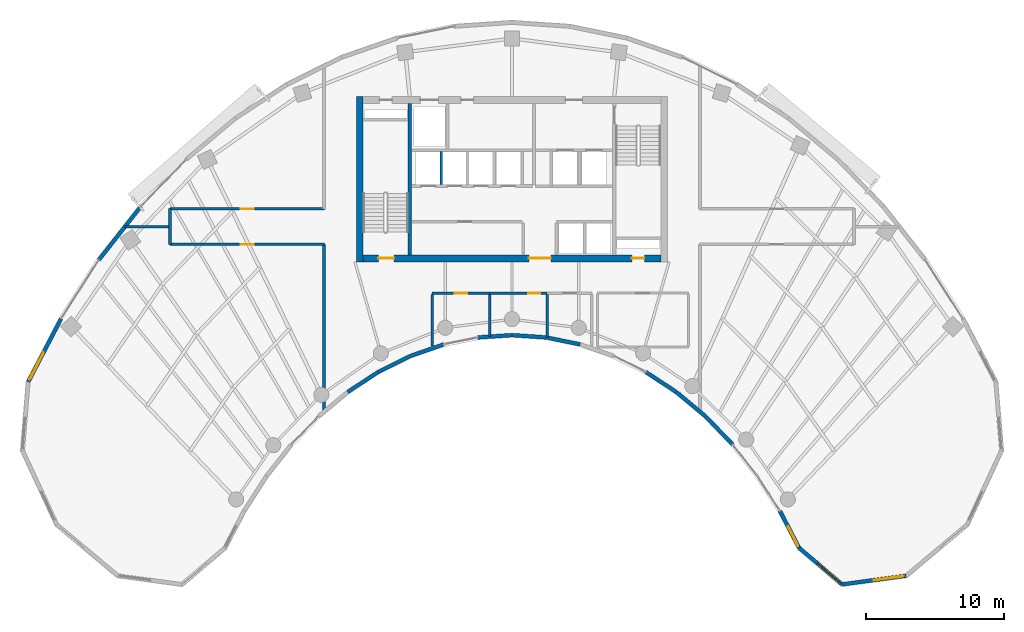
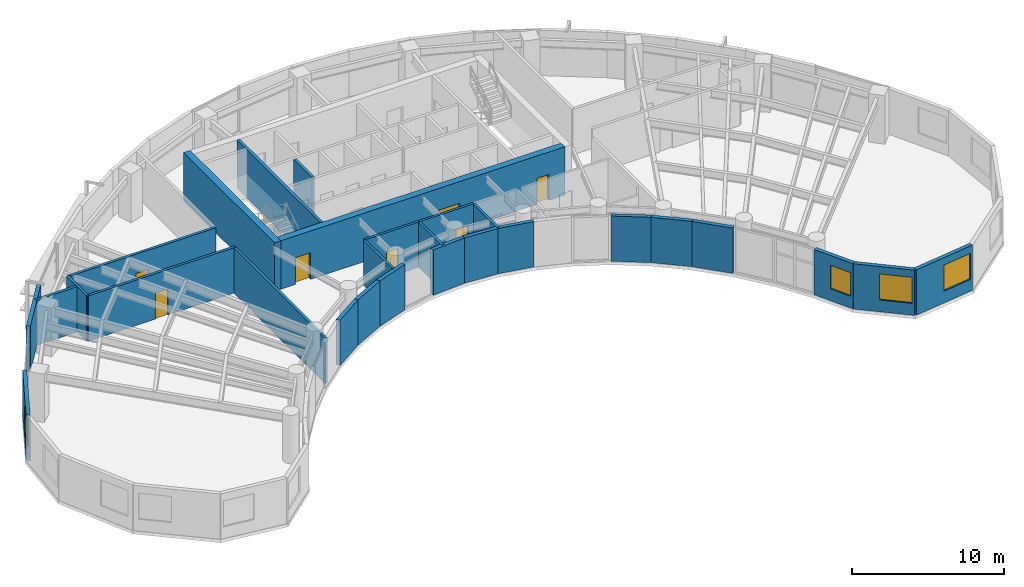
# One storey, part 8 of 13: 28 walls, 7 doors, 4 windows, 11 openings.
"""IFC4 building model written with IfcOpenShell, lengths in metres."""

import ifcopenshell
import ifcopenshell.guid

model = None  # the IFC model being written
_history = None  # IfcOwnerHistory: only IFC2X3 demands one
_inside = {}  # id of a spatial element -> (the spatial element, [elements in it])
_under = {}  # id of a project, library or spatial element -> (it, [spatial elements below it])
_declared = {}  # id of a project -> (the project, [libraries it declares])
_typed = {}  # id of a type object -> (the type object, [elements of that type])
_made_of = {}  # id of a material, layer set ... -> (it, [elements and type objects made of it])


def new_model(schema):
    """Start an empty IFC model of exactly this schema.

    Asked for "IFC4X3", IfcOpenShell would pick the latest addendum, in which some entities
    have other attributes; the version numbers below select the first issue.
    IFC2X3 requires an IfcOwnerHistory on every rooted entity: one is made here for all.
    """
    global model, _history
    if schema == "IFC4X3":
        model = ifcopenshell.file(schema_version=(4, 3, 0, 0))
    else:
        model = ifcopenshell.file(schema=schema)
    _inside.clear()
    _under.clear()
    _declared.clear()
    _typed.clear()
    _made_of.clear()
    _history = None
    if model.schema == "IFC2X3":
        org = make("IfcOrganization", Name="unknown")
        user = make(
            "IfcPersonAndOrganization",
            ThePerson=make("IfcPerson", FamilyName="unknown"),
            TheOrganization=org,
        )
        app = make(
            "IfcApplication",
            ApplicationDeveloper=org,
            Version="unknown",
            ApplicationFullName="unknown",
            ApplicationIdentifier="unknown",
        )
        _history = make(
            "IfcOwnerHistory",
            OwningUser=user,
            OwningApplication=app,
            ChangeAction="ADDED",
            CreationDate=0,
        )
    return model


def make(cls, **values):
    """One entity of the class cls with the attributes given. An attribute that is None is left unset."""
    return model.create_entity(
        cls, **{name: value for name, value in values.items() if value is not None}
    )


def rooted(cls, **values):
    """An entity with a GlobalId (a new one), such as an element, a storey or a relation."""
    return make(cls, GlobalId=ifcopenshell.guid.new(), OwnerHistory=_history, **values)


def si_unit(unit_type, name, prefix=None):
    """IfcSIUnit, for example si_unit("LENGTHUNIT", "METRE", prefix="MILLI")."""
    return make("IfcSIUnit", UnitType=unit_type, Prefix=prefix, Name=name)


def assignment(units):
    """IfcUnitAssignment: the units of a project."""
    return None if units is None else make("IfcUnitAssignment", Units=units)


def point(xyz):
    """IfcCartesianPoint."""
    return None if xyz is None else make("IfcCartesianPoint", Coordinates=xyz)


def direction(xyz):
    """IfcDirection."""
    return None if xyz is None else make("IfcDirection", DirectionRatios=xyz)


def frame(location, z_axis=None, x_axis=None):
    """IfcAxis2Placement3D, a coordinate frame: its origin and axes. An axis left out is left unset."""
    return make(
        "IfcAxis2Placement3D",
        Location=point(location),
        Axis=direction(z_axis),
        RefDirection=direction(x_axis),
    )


def frame_2d(location, x_axis=None):
    """IfcAxis2Placement2D, a coordinate frame in the plane: its origin and x axis."""
    return make(
        "IfcAxis2Placement2D", Location=point(location), RefDirection=direction(x_axis)
    )


def origin():
    """The frame at (0, 0, 0) with its axes left unset."""
    return frame((0.0, 0.0, 0.0))


def place(relative_to, where):
    """IfcLocalPlacement: puts the frame where relative to a parent placement (None: the world)."""
    return make(
        "IfcLocalPlacement", PlacementRelTo=relative_to, RelativePlacement=where
    )


def context(
    kind, dimensions, precision=None, world=None, true_north=None, identifier=None
):
    """IfcGeometricRepresentationContext, for example the 3D "Model" context."""
    return make(
        "IfcGeometricRepresentationContext",
        ContextIdentifier=identifier,
        ContextType=kind,
        CoordinateSpaceDimension=dimensions,
        Precision=precision,
        WorldCoordinateSystem=world,
        TrueNorth=true_north,
    )


def subcontext(parent, identifier, kind, view, scale=None):
    """IfcGeometricRepresentationSubContext, for example "Body" below "Model"."""
    return make(
        "IfcGeometricRepresentationSubContext",
        ContextIdentifier=identifier,
        ContextType=kind,
        ParentContext=parent,
        TargetScale=scale,
        TargetView=view,
    )


def project(units=None, contexts=None):
    """IfcProject with its units and contexts."""
    return rooted(
        "IfcProject",
        Name="project",
        RepresentationContexts=contexts,
        UnitsInContext=assignment(units),
    )


def spatial(cls, under=None, at=None, **own):
    """A site, building, storey or space (cls), placed at a placement, below another one or the project."""
    s = rooted(cls, ObjectPlacement=at, **own)
    if under is not None:
        _under.setdefault(under.id(), (under, []))[1].append(s)
    return s


def profile(cls, at=None, kind="AREA", **sizes):
    """A parametric profile (cls). Its sizes go by their IFC names, for example OverallWidth=200.0."""
    return make(cls, ProfileType=kind, Position=at, **sizes)


def rectangle(**sizes):
    """IfcRectangleProfileDef."""
    return profile("IfcRectangleProfileDef", **sizes)


def extrude(swept, where, along, depth):
    """IfcExtrudedAreaSolid: the profile swept, set in the frame where, extruded along a direction by depth."""
    return make(
        "IfcExtrudedAreaSolid",
        SweptArea=swept,
        Position=where,
        ExtrudedDirection=direction(along),
        Depth=depth,
    )


def shape(context_of_items, identifier, shape_type, items):
    """IfcShapeRepresentation: the items that make up one representation, for example the "Body"."""
    return make(
        "IfcShapeRepresentation",
        ContextOfItems=context_of_items,
        RepresentationIdentifier=identifier,
        RepresentationType=shape_type,
        Items=items,
    )


def source(mapping_origin, context_of_items, identifier, shape_type, items):
    """IfcRepresentationMap: a shape defined once, which mapped items show again and again."""
    return make(
        "IfcRepresentationMap",
        MappingOrigin=mapping_origin,
        MappedRepresentation=shape(context_of_items, identifier, shape_type, items),
    )


def transform(
    local_origin,
    x_axis=None,
    y_axis=None,
    z_axis=None,
    scale=None,
    scale2=None,
    scale3=None,
    uniform=True,
):
    """IfcCartesianTransformationOperator3D, or its non-uniform kind. x_axis, y_axis, z_axis: its Axis1, 2, 3."""
    if uniform:
        return make(
            "IfcCartesianTransformationOperator3D",
            Axis1=direction(x_axis),
            Axis2=direction(y_axis),
            LocalOrigin=point(local_origin),
            Scale=scale,
            Axis3=direction(z_axis),
        )
    return make(
        "IfcCartesianTransformationOperator3DnonUniform",
        Axis1=direction(x_axis),
        Axis2=direction(y_axis),
        LocalOrigin=point(local_origin),
        Scale=scale,
        Axis3=direction(z_axis),
        Scale2=scale2,
        Scale3=scale3,
    )


def mapped(mapping_source, mapping_target):
    """IfcMappedItem: shows the shape of a source again, moved by a transform."""
    return make(
        "IfcMappedItem", MappingSource=mapping_source, MappingTarget=mapping_target
    )


def material(Name=None, Category=None):
    """IfcMaterial."""
    return make("IfcMaterial", Name=Name, Category=Category)


def layer(
    of_material, thickness, ventilated=None, Name=None, Category=None, Priority=None
):
    """IfcMaterialLayer: one layer of a wall or slab, of a material (None: an air gap)."""
    return make(
        "IfcMaterialLayer",
        Material=of_material,
        LayerThickness=thickness,
        IsVentilated=ventilated,
        Name=Name,
        Category=Category,
        Priority=Priority,
    )


def layer_set(layers, Name=None):
    """IfcMaterialLayerSet."""
    return make("IfcMaterialLayerSet", MaterialLayers=layers, LayerSetName=Name)


def made_of(thing, what):
    """Note that an element or type object is made of a material, layer set ...; save() writes the relation."""
    if what is not None:
        _made_of.setdefault(what.id(), (what, []))[1].append(thing)
    return thing


def type_object(cls, material=None, **own):
    """A type object (cls), such as IfcWallType, which elements share."""
    return made_of(rooted(cls, **own), material)


def type_shapes(of_type, sources):
    """Give a type object the sources (RepresentationMaps) that its elements show as mapped items."""
    of_type.RepresentationMaps = sources


def element(
    cls,
    number,
    at=None,
    inside=None,
    cuts=None,
    type_object=None,
    material=None,
    context=None,
    identifier="Body",
    shape_type=None,
    held_by="IfcProductDefinitionShape",
    body=None,
    shapes=None,
    **own,
):
    """One element of the class cls, such as IfcWall. Its Tag is "e" and its number.

    at: its placement. inside: the storey or other place that contains it. cuts: it is an
    opening in that element (IfcRelVoidsElement). A single representation is given by context,
    identifier, shape_type and body (its items); several are given by shapes. held_by: the class
    of the entity that holds the representations. save() writes the other relations.
    """
    e = rooted(cls, Tag="e%d" % number, ObjectPlacement=at, **own)
    if body is not None:
        shapes = [shape(context, identifier, shape_type, body)]
    if shapes is not None:
        e.Representation = make(held_by, Representations=shapes)
    if inside is not None:
        _inside.setdefault(inside.id(), (inside, []))[1].append(e)
    if cuts is not None:
        rooted(
            "IfcRelVoidsElement", RelatingBuildingElement=cuts, RelatedOpeningElement=e
        )
    if type_object is not None:
        _typed.setdefault(type_object.id(), (type_object, []))[1].append(e)
    return made_of(e, material)


def fill(opening, filler):
    """IfcRelFillsElement: the door or window that sits in an opening."""
    return rooted(
        "IfcRelFillsElement",
        RelatingOpeningElement=opening,
        RelatedBuildingElement=filler,
    )


def aggregate(whole, parts):
    """IfcRelAggregates: a whole, such as a stair, and the parts it consists of."""
    return rooted("IfcRelAggregates", RelatingObject=whole, RelatedObjects=parts)


def save(model, path):
    """Write the relations noted so far, then the file.

    IfcRelAggregates (storeys below a building ...), IfcRelContainedInSpatialStructure (elements
    in a storey), IfcRelDefinesByType, IfcRelAssociatesMaterial and IfcRelDeclares: one each for
    every whole, place, type object, material and project.
    """
    for whole, parts in _under.values():
        aggregate(whole, parts)
    for where, things in _inside.values():
        rooted(
            "IfcRelContainedInSpatialStructure",
            RelatedElements=things,
            RelatingStructure=where,
        )
    for kind, things in _typed.values():
        rooted("IfcRelDefinesByType", RelatedObjects=things, RelatingType=kind)
    for what, things in _made_of.values():
        rooted("IfcRelAssociatesMaterial", RelatedObjects=things, RelatingMaterial=what)
    for by, libraries in _declared.values():
        rooted("IfcRelDeclares", RelatingContext=by, RelatedDefinitions=libraries)
    model.write(path)


model = new_model("IFC4")

# Units and contexts
model_context = context("Model", 3, precision=1e-05, world=origin(), true_north=direction((0.0, 1.0)))
body_context = subcontext(model_context, "Body", "Model", "MODEL_VIEW")
ifc_project = project(units=[si_unit("LENGTHUNIT", "METRE"), si_unit("AREAUNIT", "SQUARE_METRE"), si_unit("VOLUMEUNIT", "CUBIC_METRE"), si_unit("PLANEANGLEUNIT", "RADIAN"), si_unit("MASSUNIT", "GRAM", prefix="KILO")], contexts=[model_context])

# Site, building, storey
site_placement = place(None, origin())
site = spatial("IfcSite", under=ifc_project, at=site_placement, CompositionType="ELEMENT")
building_placement = place(site_placement, origin())
building = spatial("IfcBuilding", under=site, at=building_placement, Name="Breltana Convention Tower", CompositionType="ELEMENT")
storey_placement = place(building_placement, frame((0.0, 0.0, 162.300048828125)))
storey = spatial("IfcBuildingStorey", under=building, at=storey_placement, Name="L39", CompositionType="ELEMENT", Elevation=162.300048828125)

# Wall
ifc_material_1 = material(Name="Concrete C60/75", Category="concrete")
ifc_layer_1 = layer(ifc_material_1, 0.5, Name="Concrete C60/75")
ifc_layer_set_1 = layer_set([ifc_layer_1], Name="Concrete C60/75")
wall_type_1 = type_object("IfcWallType", Name="SW-CORE-500", PredefinedType="SHEAR", material=ifc_layer_set_1)
shared_shape_1 = source(origin(), body_context, "Body", "SweptSolid", [
    extrude(rectangle(XDim=12.0, YDim=0.5, at=frame_2d((6.0, 0.0))), origin(), (0.0, 0.0, 1.0), 3.89990234375),
])
wall_1_placement = place(storey_placement, frame((36.949951171875, 60.199951171875, 0.0), z_axis=(0.0, 0.0, 1.0), x_axis=(0.0, 1.0, 0.0)))
element("IfcWall", 1, at=wall_1_placement, inside=storey, type_object=wall_type_1, Name="L39 West Core Shear Wall", PredefinedType="SHEAR", context=body_context, shape_type="MappedRepresentation", body=[
    mapped(shared_shape_1, transform((0.0, 0.0, 0.0), scale=1.0)),
])

# Wall, openings, doors
shared_shape_2 = source(origin(), body_context, "Body", "SweptSolid", [
    extrude(rectangle(XDim=21.60009765625, YDim=0.5, at=frame_2d((10.800048828125, 0.0))), origin(), (0.0, 0.0, 1.0), 3.89990234375),
])
wall_2_placement = place(storey_placement, frame((37.199951171875, 60.449951171875, 0.0), z_axis=(0.0, 0.0, 1.0), x_axis=(1.0, 0.0, 0.0)))
wall_2 = element("IfcWall", 2, at=wall_2_placement, inside=storey, type_object=wall_type_1, Name="L39 South Core Shear Wall", PredefinedType="SHEAR", context=body_context, shape_type="MappedRepresentation", body=[
    mapped(shared_shape_2, transform((0.0, 0.0, 0.0), scale=1.0)),
])
opening_1_placement = place(wall_2_placement, frame((1.10009765625, 0.0, 0.0)))
opening_1 = element("IfcOpeningElement", 3, at=opening_1_placement, cuts=wall_2, Name="Opening D-11", PredefinedType="OPENING", context=body_context, shape_type="SweptSolid", body=[
    extrude(rectangle(XDim=1.14990234375, YDim=2.14990234375, at=frame_2d((0.574951171875, 1.074951171875))), frame((0.0, 0.260009765625, 0.0), z_axis=(0.0, -1.0, 0.0), x_axis=(1.0, 0.0, 0.0)), (0.0, 0.0, 1.0), 0.52001953125),
])
opening_2_placement = place(wall_2_placement, frame((19.5, 0.0, 0.0)))
opening_2 = element("IfcOpeningElement", 4, at=opening_2_placement, cuts=wall_2, Name="Opening D-18", PredefinedType="OPENING", context=body_context, shape_type="SweptSolid", body=[
    extrude(rectangle(XDim=0.89990234375, YDim=2.10009765625, at=frame_2d((0.449951171875, 1.050048828125))), frame((0.0, 0.260009765625, 0.0), z_axis=(0.0, -1.0, 0.0), x_axis=(1.0, 0.0, 0.0)), (0.0, 0.0, 1.0), 0.52001953125),
])
opening_3_placement = place(wall_2_placement, frame((12.02001953125, 0.0, 0.0)))
opening_3 = element("IfcOpeningElement", 5, at=opening_3_placement, cuts=wall_2, Name="Opening D-02", PredefinedType="OPENING", context=body_context, shape_type="SweptSolid", body=[
    extrude(rectangle(XDim=1.60009765625, YDim=2.14990234375, at=frame_2d((0.800048828125, 1.074951171875))), frame((0.0, 0.260009765625, 0.0), z_axis=(0.0, -1.0, 0.0), x_axis=(1.0, 0.0, 0.0)), (0.0, 0.0, 1.0), 0.52001953125),
])
ifc_material_2 = material(Name="Steel Stair Exit Door", Category="steel")
door_type_1 = type_object("IfcDoorType", Name="DR-FD120-1150", OperationType="NOTDEFINED", PredefinedType="DOOR", material=ifc_material_2)
shared_shape_3 = source(origin(), body_context, "Body", "SweptSolid", [
    extrude(rectangle(XDim=1.14990234375, YDim=2.14990234375, at=frame_2d((0.574951171875, 1.074951171875))), frame((0.0, 0.02490234375, 0.0), z_axis=(0.0, -1.0, 0.0), x_axis=(1.0, 0.0, 0.0)), (0.0, 0.0, 1.0), 0.050048828125),
])
type_shapes(door_type_1, [shared_shape_3])
door_1_placement = place(opening_1_placement, origin())
door_1 = element("IfcDoor", 6, at=door_1_placement, inside=storey, type_object=door_type_1, Name="L39 interior door D-L39-ST1", OperationType="SINGLE_SWING_LEFT", OverallHeight=2.14990234375, OverallWidth=1.14990234375, PredefinedType="DOOR", context=body_context, shape_type="MappedRepresentation", body=[
    mapped(shared_shape_3, transform((0.0, 0.0, 0.0), scale=1.0)),
])
fill(opening_1, door_1)
ifc_material_3 = material(Name="Steel Riser Fire Door", Category="steel")
door_type_2 = type_object("IfcDoorType", Name="DR-FD60-900", OperationType="NOTDEFINED", PredefinedType="DOOR", material=ifc_material_3)
shared_shape_4 = source(origin(), body_context, "Body", "SweptSolid", [
    extrude(rectangle(XDim=0.89990234375, YDim=2.10009765625, at=frame_2d((0.449951171875, 1.050048828125))), frame((0.0, 0.02490234375, 0.0), z_axis=(0.0, -1.0, 0.0), x_axis=(1.0, 0.0, 0.0)), (0.0, 0.0, 1.0), 0.050048828125),
])
type_shapes(door_type_2, [shared_shape_4])
door_2_placement = place(opening_2_placement, origin())
door_2 = element("IfcDoor", 7, at=door_2_placement, inside=storey, type_object=door_type_2, Name="L39 Core Riser Access Door D-L39-RS2", OperationType="SINGLE_SWING_RIGHT", OverallHeight=2.10009765625, OverallWidth=0.89990234375, PredefinedType="DOOR", context=body_context, shape_type="MappedRepresentation", body=[
    mapped(shared_shape_4, transform((0.0, 0.0, 0.0), scale=1.0)),
])
fill(opening_2, door_2)
ifc_material_4 = material(Name="Steel Glazed Smoke-Control Door", Category="steel")
door_type_3 = type_object("IfcDoorType", Name="DR-DBL-FD90-1600", OperationType="DOUBLE_DOOR_SINGLE_SWING", PredefinedType="DOOR", material=ifc_material_4)
shared_shape_5 = source(origin(), body_context, "Body", "SweptSolid", [
    extrude(rectangle(XDim=1.60009765625, YDim=2.14990234375, at=frame_2d((0.800048828125, 1.074951171875))), frame((0.0, 0.02490234375, 0.0), z_axis=(0.0, -1.0, 0.0), x_axis=(1.0, 0.0, 0.0)), (0.0, 0.0, 1.0), 0.050048828125),
])
type_shapes(door_type_3, [shared_shape_5])
door_3_placement = place(opening_3_placement, origin())
door_3 = element("IfcDoor", 8, at=door_3_placement, inside=storey, type_object=door_type_3, Name="L39 interior door D-L39-LLB-S", OperationType="DOUBLE_DOOR_SINGLE_SWING", OverallHeight=2.14990234375, OverallWidth=1.60009765625, PredefinedType="DOOR", context=body_context, shape_type="MappedRepresentation", body=[
    mapped(shared_shape_5, transform((0.0, 0.0, 0.0), scale=1.0)),
])
fill(opening_3, door_3)

# Wall
ifc_material_5 = material(Name="Concrete C50/60", Category="concrete")
ifc_layer_2 = layer(ifc_material_5, 0.39990234375, Name="Concrete C50/60")
ifc_layer_set_2 = layer_set([ifc_layer_2], Name="Concrete C50/60")
wall_type_2 = type_object("IfcWallType", Name="SW-CORE-400", PredefinedType="SHEAR", material=ifc_layer_set_2)
shared_shape_6 = source(origin(), body_context, "Body", "SweptSolid", [
    extrude(rectangle(XDim=11.0, YDim=0.219970703125, at=frame_2d((5.5, 0.0))), origin(), (0.0, 0.0, 1.0), 3.89990234375),
])
wall_3_placement = place(storey_placement, frame((40.580078125, 60.699951171875, 0.0), z_axis=(0.0, 0.0, 1.0), x_axis=(0.0, 1.0, 0.0)))
element("IfcWall", 9, at=wall_3_placement, inside=storey, type_object=wall_type_2, Name="L39 Core West Stair Spine Wall", PredefinedType="SHEAR", context=body_context, shape_type="MappedRepresentation", body=[
    mapped(shared_shape_6, transform((0.0, 0.0, 0.0), scale=1.0)),
])

# Wall, opening, window
ifc_material_6 = material(Name="Limestone Buff Insulated Wall", Category="masonry")
ifc_layer_3 = layer(ifc_material_6, 0.280029296875, Name="Limestone Buff Insulated Wall")
ifc_layer_set_3 = layer_set([ifc_layer_3], Name="Limestone Buff Insulated Wall")
wall_type_3 = type_object("IfcWallType", Name="WL-EXT-NOSE-280", PredefinedType="SOLIDWALL", material=ifc_layer_set_3)
shared_shape_7 = source(origin(), body_context, "Body", "SweptSolid", [
    extrude(rectangle(XDim=4.680419921875, YDim=0.280029296875, at=frame_2d((2.34033203125, 0.0))), origin(), (0.0, 0.0, 1.0), 3.64990234375),
])
wall_4_placement = place(storey_placement, frame((76.594482421875, 37.41650390625, 0.0), z_axis=(0.0, 0.0, 1.0), x_axis=(-0.990931146435, -0.134370618162, 0.0)))
wall_4 = element("IfcWall", 10, at=wall_4_placement, inside=storey, type_object=wall_type_3, Name="L39 curved limestone nose wall E4", PredefinedType="SOLIDWALL", context=body_context, shape_type="MappedRepresentation", body=[
    mapped(shared_shape_7, transform((0.0, 0.0, 0.0), scale=1.0)),
])
opening_4_placement = place(wall_4_placement, frame((0.159912109375, 0.0, 0.949951171875)))
opening_4 = element("IfcOpeningElement", 11, at=opening_4_placement, cuts=wall_4, Name="Opening W-03", PredefinedType="OPENING", context=body_context, shape_type="SweptSolid", body=[
    extrude(rectangle(XDim=2.199951171875, YDim=2.10009765625, at=frame_2d((1.10009765625, 1.050048828125))), frame((0.0, 0.14990234375, 0.0), z_axis=(0.0, -1.0, 0.0), x_axis=(1.0, 0.0, 0.0)), (0.0, 0.0, 1.0), 0.300048828125),
])
ifc_material_7 = material(Name="Glass Low-E Insulated Window", Category="glass")
window_type_1 = type_object("IfcWindowType", Name="WN-NOSE-2200X2100", PartitioningType="TRIPLE_PANEL_VERTICAL", PredefinedType="WINDOW", material=ifc_material_7)
shared_shape_8 = source(origin(), body_context, "Body", "SweptSolid", [
    extrude(rectangle(XDim=2.199951171875, YDim=2.10009765625, at=frame_2d((1.10009765625, 1.050048828125))), frame((0.0, 0.030029296875, 0.0), z_axis=(0.0, -1.0, 0.0), x_axis=(1.0, 0.0, 0.0)), (0.0, 0.0, 1.0), 0.06005859375),
])
type_shapes(window_type_1, [shared_shape_8])
window_1_placement = place(opening_4_placement, origin())
window_1 = element("IfcWindow", 12, at=window_1_placement, inside=storey, type_object=window_type_1, Name="L39 nose window E4", OverallHeight=2.10009765625, OverallWidth=2.199951171875, PartitioningType="TRIPLE_PANEL_VERTICAL", PredefinedType="WINDOW", context=body_context, shape_type="MappedRepresentation", body=[
    mapped(shared_shape_8, transform((0.0, 0.0, 0.0), scale=1.0)),
])
fill(opening_4, window_1)

shared_shape_9 = source(origin(), body_context, "Body", "SweptSolid", [
    extrude(rectangle(XDim=4.095947265625, YDim=0.280029296875, at=frame_2d((2.0478515625, 0.0))), origin(), (0.0, 0.0, 1.0), 3.64990234375),
])
wall_5_placement = place(storey_placement, frame((71.95654296875, 36.78759765625, 0.0), z_axis=(0.0, 0.0, 1.0), x_axis=(-0.761926081737, 0.647663991564, 0.0)))
wall_5 = element("IfcWall", 13, at=wall_5_placement, inside=storey, type_object=wall_type_3, Name="L39 curved limestone nose wall E5", PredefinedType="SOLIDWALL", context=body_context, shape_type="MappedRepresentation", body=[
    mapped(shared_shape_9, transform((0.0, 0.0, 0.0), scale=1.0)),
])
opening_5_placement = place(wall_5_placement, frame((0.159912109375, 0.0, 0.949951171875)))
opening_5 = element("IfcOpeningElement", 14, at=opening_5_placement, cuts=wall_5, Name="Opening W-03", PredefinedType="OPENING", context=body_context, shape_type="SweptSolid", body=[
    extrude(rectangle(XDim=2.199951171875, YDim=2.10009765625, at=frame_2d((1.10009765625, 1.050048828125))), frame((0.0, 0.14990234375, 0.0), z_axis=(0.0, -1.0, 0.0), x_axis=(1.0, 0.0, 0.0)), (0.0, 0.0, 1.0), 0.300048828125),
])
window_2_placement = place(opening_5_placement, origin())
window_2 = element("IfcWindow", 15, at=window_2_placement, inside=storey, type_object=window_type_1, Name="L39 nose window E5", OverallHeight=2.10009765625, OverallWidth=2.199951171875, PartitioningType="TRIPLE_PANEL_VERTICAL", PredefinedType="WINDOW", context=body_context, shape_type="MappedRepresentation", body=[
    mapped(shared_shape_8, transform((0.0, 0.0, 0.0), scale=1.0)),
])
fill(opening_5, window_2)

shared_shape_10 = source(origin(), body_context, "Body", "SweptSolid", [
    extrude(rectangle(XDim=3.02392578125, YDim=0.280029296875, at=frame_2d((1.511962890625, 0.0))), origin(), (0.0, 0.0, 1.0), 3.64990234375),
])
wall_6_placement = place(storey_placement, frame((68.835693359375, 39.4404296875, 0.0), z_axis=(0.0, 0.0, 1.0), x_axis=(-0.461718746531, 0.887026380161, 0.0)))
wall_6 = element("IfcWall", 16, at=wall_6_placement, inside=storey, type_object=wall_type_3, Name="L39 curved limestone nose wall E6", PredefinedType="SOLIDWALL", context=body_context, shape_type="MappedRepresentation", body=[
    mapped(shared_shape_10, transform((0.0, 0.0, 0.0), scale=1.0)),
])
opening_6_placement = place(wall_6_placement, frame((0.159912109375, 0.0, 0.949951171875)))
opening_6 = element("IfcOpeningElement", 17, at=opening_6_placement, cuts=wall_6, Name="Opening W-04", PredefinedType="OPENING", context=body_context, shape_type="SweptSolid", body=[
    extrude(rectangle(XDim=1.60009765625, YDim=1.89990234375, at=frame_2d((0.800048828125, 0.949951171875))), frame((0.0, 0.14990234375, 0.0), z_axis=(0.0, -1.0, 0.0), x_axis=(1.0, 0.0, 0.0)), (0.0, 0.0, 1.0), 0.300048828125),
])
window_type_2 = type_object("IfcWindowType", Name="WN-NOSE-1600X1900", PartitioningType="SINGLE_PANEL", PredefinedType="WINDOW", material=ifc_material_7)
shared_shape_11 = source(origin(), body_context, "Body", "SweptSolid", [
    extrude(rectangle(XDim=1.60009765625, YDim=1.89990234375, at=frame_2d((0.800048828125, 0.949951171875))), frame((0.0, 0.030029296875, 0.0), z_axis=(0.0, -1.0, 0.0), x_axis=(1.0, 0.0, 0.0)), (0.0, 0.0, 1.0), 0.06005859375),
])
type_shapes(window_type_2, [shared_shape_11])
window_3_placement = place(opening_6_placement, origin())
window_3 = element("IfcWindow", 18, at=window_3_placement, inside=storey, type_object=window_type_2, Name="L39 nose window E6", OverallHeight=1.89990234375, OverallWidth=1.60009765625, PartitioningType="SINGLE_PANEL", PredefinedType="WINDOW", context=body_context, shape_type="MappedRepresentation", body=[
    mapped(shared_shape_11, transform((0.0, 0.0, 0.0), scale=1.0)),
])
fill(opening_6, window_3)

# Walls
shared_shape_12 = source(origin(), body_context, "Body", "SweptSolid", [
    extrude(rectangle(XDim=2.812255859375, YDim=0.280029296875, at=frame_2d((1.40625, 0.0))), origin(), (0.0, 0.0, 1.0), 3.64990234375),
])
wall_7_placement = place(storey_placement, frame((64.00830078125, 46.9501953125, 0.0), z_axis=(0.0, 0.0, 1.0), x_axis=(-0.694583668785, 0.719411931411, 0.0)))
element("IfcWall", 19, at=wall_7_placement, inside=storey, type_object=wall_type_3, Name="L39 curved limestone nose wall E7", PredefinedType="SOLIDWALL", context=body_context, shape_type="MappedRepresentation", body=[
    mapped(shared_shape_12, transform((0.0, 0.0, 0.0), scale=1.0)),
])
shared_shape_13 = source(origin(), body_context, "Body", "SweptSolid", [
    extrude(rectangle(XDim=2.7294921875, YDim=0.280029296875, at=frame_2d((1.36474609375, 0.0))), origin(), (0.0, 0.0, 1.0), 3.64990234375),
])
wall_8_placement = place(storey_placement, frame((62.040771484375, 48.986572265625, 0.0), z_axis=(0.0, 0.0, 1.0), x_axis=(-0.767957284255, 0.640501061326, 0.0)))
element("IfcWall", 20, at=wall_8_placement, inside=storey, type_object=wall_type_3, Name="L39 curved limestone nose wall E8", PredefinedType="SOLIDWALL", context=body_context, shape_type="MappedRepresentation", body=[
    mapped(shared_shape_13, transform((0.0, 0.0, 0.0), scale=1.0)),
])
shared_shape_14 = source(origin(), body_context, "Body", "SweptSolid", [
    extrude(rectangle(XDim=2.58447265625, YDim=0.280029296875, at=frame_2d((1.292236328125, 0.0))), origin(), (0.0, 0.0, 1.0), 3.64990234375),
])
wall_9_placement = place(storey_placement, frame((40.62353515625, 53.361083984375, 0.0), z_axis=(0.0, 0.0, 1.0), x_axis=(-0.895989792847, -0.44407464588, 0.0)))
element("IfcWall", 21, at=wall_9_placement, inside=storey, type_object=wall_type_3, Name="L39 curved limestone nose wall E15", PredefinedType="SOLIDWALL", context=body_context, shape_type="MappedRepresentation", body=[
    mapped(shared_shape_14, transform((0.0, 0.0, 0.0), scale=1.0)),
])
shared_shape_15 = source(origin(), body_context, "Body", "SweptSolid", [
    extrude(rectangle(XDim=2.52978515625, YDim=0.280029296875, at=frame_2d((1.264892578125, 0.0))), origin(), (0.0, 0.0, 1.0), 3.64990234375),
])
wall_10_placement = place(storey_placement, frame((43.034912109375, 54.1982421875, 0.0), z_axis=(0.0, 0.0, 1.0), x_axis=(-0.944872429646, -0.327438683872, 0.0)))
element("IfcWall", 22, at=wall_10_placement, inside=storey, type_object=wall_type_3, Name="L39 curved limestone nose wall E14", PredefinedType="SOLIDWALL", context=body_context, shape_type="MappedRepresentation", body=[
    mapped(shared_shape_15, transform((0.0, 0.0, 0.0), scale=1.0)),
])
shared_shape_16 = source(origin(), body_context, "Body", "SweptSolid", [
    extrude(rectangle(XDim=2.4912109375, YDim=0.280029296875, at=frame_2d((1.24560546875, 0.0))), origin(), (0.0, 0.0, 1.0), 3.64990234375),
])
wall_11_placement = place(storey_placement, frame((52.9423828125, 54.20458984375, 0.0), z_axis=(0.0, 0.0, 1.0), x_axis=(-0.979630885979, 0.200806691214, 0.0)))
element("IfcWall", 23, at=wall_11_placement, inside=storey, type_object=wall_type_3, Name="L39 curved limestone nose wall E11", PredefinedType="SOLIDWALL", context=body_context, shape_type="MappedRepresentation", body=[
    mapped(shared_shape_16, transform((0.0, 0.0, 0.0), scale=1.0)),
])
shared_shape_17 = source(origin(), body_context, "Body", "SweptSolid", [
    extrude(rectangle(XDim=2.471435546875, YDim=0.280029296875, at=frame_2d((1.23583984375, 0.0))), origin(), (0.0, 0.0, 1.0), 3.64990234375),
])
for number, where, z_axis, x_axis, name in (
    (24, (50.47802734375, 54.708251953125, 0.0), (0.0, 0.0, 1.0), (-0.997708006929, 0.067666335123, 0.0), "L39 curved limestone nose wall E12"),
    (25, (47.98779296875, 54.87548828125, 0.0), (0.0, 0.0, 1.0), (-0.997708006929, -0.067666335123, 0.0), "L39 curved limestone nose wall E13"),
):
    element("IfcWall", number, at=place(storey_placement, frame(where, z_axis=z_axis, x_axis=x_axis)), inside=storey, type_object=wall_type_3, Name=name, PredefinedType="SOLIDWALL", context=body_context, shape_type="MappedRepresentation", body=[
        mapped(shared_shape_17, transform((0.0, 0.0, 0.0), scale=1.0)),
    ])
shared_shape_18 = source(origin(), body_context, "Body", "SweptSolid", [
    extrude(rectangle(XDim=2.65234375, YDim=0.280029296875, at=frame_2d((1.326171875, 0.0))), origin(), (0.0, 0.0, 1.0), 3.64990234375),
])
for number, where, z_axis, x_axis, name in (
    (26, (59.92822265625, 50.7470703125, 0.0), (0.0, 0.0, 1.0), (-0.836008323535, 0.54871676025, 0.0), "L39 curved limestone nose wall E9"),
    (27, (38.2890625, 52.202392578125, 0.0), (0.0, 0.0, 1.0), (-0.836008323535, -0.54871676025, 0.0), "L39 curved limestone nose wall E16"),
):
    element("IfcWall", number, at=place(storey_placement, frame(where, z_axis=z_axis, x_axis=x_axis)), inside=storey, type_object=wall_type_3, Name=name, PredefinedType="SOLIDWALL", context=body_context, shape_type="MappedRepresentation", body=[
        mapped(shared_shape_18, transform((0.0, 0.0, 0.0), scale=1.0)),
    ])

# Wall, opening, window
shared_shape_19 = source(origin(), body_context, "Body", "SweptSolid", [
    extrude(rectangle(XDim=5.1708984375, YDim=0.280029296875, at=frame_2d((2.58544921875, 0.0))), origin(), (0.0, 0.0, 1.0), 3.64990234375),
])
wall_12_placement = place(storey_placement, frame((12.897705078125, 51.48876953125, 0.0), z_axis=(0.0, 0.0, 1.0), x_axis=(0.461752581363, 0.887008767491, 0.0)))
wall_12 = element("IfcWall", 28, at=wall_12_placement, inside=storey, type_object=wall_type_3, Name="L39 curved limestone nose wall W7", PredefinedType="SOLIDWALL", context=body_context, shape_type="MappedRepresentation", body=[
    mapped(shared_shape_19, transform((0.0, 0.0, 0.0), scale=1.0)),
])
opening_7_placement = place(wall_12_placement, frame((0.19287109375, 0.0, 0.949951171875)))
opening_7 = element("IfcOpeningElement", 29, at=opening_7_placement, cuts=wall_12, Name="Opening W-03", PredefinedType="OPENING", context=body_context, shape_type="SweptSolid", body=[
    extrude(rectangle(XDim=2.199951171875, YDim=2.10009765625, at=frame_2d((1.10009765625, 1.050048828125))), frame((0.0, 0.14990234375, 0.0), z_axis=(0.0, -1.0, 0.0), x_axis=(1.0, 0.0, 0.0)), (0.0, 0.0, 1.0), 0.300048828125),
])
window_4_placement = place(opening_7_placement, origin())
window_4 = element("IfcWindow", 30, at=window_4_placement, inside=storey, type_object=window_type_1, Name="L39 nose window W7", OverallHeight=2.10009765625, OverallWidth=2.199951171875, PartitioningType="TRIPLE_PANEL_VERTICAL", PredefinedType="WINDOW", context=body_context, shape_type="MappedRepresentation", body=[
    mapped(shared_shape_8, transform((0.0, 0.0, 0.0), scale=1.0)),
])
fill(opening_7, window_4)

# Walls
shared_shape_20 = source(origin(), body_context, "Body", "SweptSolid", [
    extrude(rectangle(XDim=4.921630859375, YDim=0.280029296875, at=frame_2d((2.4609375, 0.0))), origin(), (0.0, 0.0, 1.0), 3.64990234375),
])
wall_13_placement = place(storey_placement, frame((18.021240234375, 60.337646484375, 0.0), z_axis=(0.0, 0.0, 1.0), x_axis=(0.61817639101, 0.786039407153, 0.0)))
element("IfcWall", 31, at=wall_13_placement, inside=storey, type_object=wall_type_3, Name="L39 curved limestone nose wall E20", PredefinedType="SOLIDWALL", context=body_context, shape_type="MappedRepresentation", body=[
    mapped(shared_shape_20, transform((0.0, 0.0, 0.0), scale=1.0)),
])
ifc_material_8 = material(Name="Autoclaved Aerated Concrete Block", Category="concrete")
ifc_layer_4 = layer(ifc_material_8, 0.199951171875, Name="Autoclaved Aerated Concrete Block")
ifc_layer_set_4 = layer_set([ifc_layer_4], Name="Autoclaved Aerated Concrete Block")
wall_type_4 = type_object("IfcWallType", Name="WL-SHAFT-200", PredefinedType="SOLIDWALL", material=ifc_layer_set_4)
shared_shape_21 = source(origin(), body_context, "Body", "SweptSolid", [
    extrude(rectangle(XDim=2.39990234375, YDim=0.199951171875, at=frame_2d((1.199951171875, 0.0))), origin(), (0.0, 0.0, 1.0), 3.64990234375),
])
wall_14_placement = place(storey_placement, frame((42.8701171875, 65.800048828125, 0.0), z_axis=(0.0, 0.0, 1.0), x_axis=(0.0, 1.0, 0.0)))
element("IfcWall", 32, at=wall_14_placement, inside=storey, type_object=wall_type_4, Name="L39 interior partition W-L39-SH-M-DIV1", PredefinedType="SOLIDWALL", context=body_context, shape_type="MappedRepresentation", body=[
    mapped(shared_shape_21, transform((0.0, 0.0, 0.0), scale=1.0)),
])

# Wall, opening, door
ifc_material_9 = material(Name="Moisture-Resistant Gypsum Chase Wall")
ifc_layer_5 = layer(ifc_material_9, 0.179931640625, Name="Moisture-Resistant Gypsum Chase Wall")
ifc_layer_set_5 = layer_set([ifc_layer_5], Name="Moisture-Resistant Gypsum Chase Wall")
wall_type_5 = type_object("IfcWallType", Name="WL-PLUMB-180", PredefinedType="PLUMBINGWALL", material=ifc_layer_set_5)
shared_shape_22 = source(origin(), body_context, "Body", "SweptSolid", [
    extrude(rectangle(XDim=4.176025390625, YDim=0.179931640625, at=frame_2d((2.087890625, 0.0))), origin(), (0.0, 0.0, 1.0), 3.64990234375),
])
wall_15_placement = place(storey_placement, frame((42.199951171875, 57.919921875, 0.0), z_axis=(0.0, 0.0, 1.0), x_axis=(1.0, 0.0, 0.0)))
wall_15 = element("IfcWall", 33, at=wall_15_placement, inside=storey, type_object=wall_type_5, Name="L39 interior partition W-L39-WCM-N", PredefinedType="PLUMBINGWALL", context=body_context, shape_type="MappedRepresentation", body=[
    mapped(shared_shape_22, transform((0.0, 0.0, 0.0), scale=1.0)),
])
opening_8_placement = place(wall_15_placement, frame((1.637939453125, 0.0, 0.0)))
opening_8 = element("IfcOpeningElement", 34, at=opening_8_placement, cuts=wall_15, Name="Opening D-19", PredefinedType="OPENING", context=body_context, shape_type="SweptSolid", body=[
    extrude(rectangle(XDim=0.89990234375, YDim=2.080078125, at=frame_2d((0.449951171875, 1.0400390625))), frame((0.0, 0.10009765625, 0.0), z_axis=(0.0, -1.0, 0.0), x_axis=(1.0, 0.0, 0.0)), (0.0, 0.0, 1.0), 0.199951171875),
])
ifc_material_10 = material(Name="Timber Moisture-Resistant Door", Category="wood")
door_type_4 = type_object("IfcDoorType", Name="DR-WC-900", OperationType="NOTDEFINED", PredefinedType="DOOR", material=ifc_material_10)
shared_shape_23 = source(origin(), body_context, "Body", "SweptSolid", [
    extrude(rectangle(XDim=0.89990234375, YDim=2.080078125, at=frame_2d((0.449951171875, 1.0400390625))), frame((0.0, 0.02490234375, 0.0), z_axis=(0.0, -1.0, 0.0), x_axis=(1.0, 0.0, 0.0)), (0.0, 0.0, 1.0), 0.050048828125),
])
type_shapes(door_type_4, [shared_shape_23])
door_4_placement = place(opening_8_placement, origin())
door_4 = element("IfcDoor", 35, at=door_4_placement, inside=storey, type_object=door_type_4, Name="L39 interior door D-L39-WCM", OperationType="SINGLE_SWING_LEFT", OverallHeight=2.080078125, OverallWidth=0.89990234375, PredefinedType="DOOR", context=body_context, shape_type="MappedRepresentation", body=[
    mapped(shared_shape_23, transform((0.0, 0.0, 0.0), scale=1.0)),
])
fill(opening_8, door_4)

wall_16_placement = place(storey_placement, frame((46.3759765625, 57.919921875, 0.0), z_axis=(0.0, 0.0, 1.0), x_axis=(1.0, 0.0, 0.0)))
wall_16 = element("IfcWall", 36, at=wall_16_placement, inside=storey, type_object=wall_type_5, Name="L39 interior partition W-L39-WCF-N", PredefinedType="PLUMBINGWALL", context=body_context, shape_type="MappedRepresentation", body=[
    mapped(shared_shape_22, transform((0.0, 0.0, 0.0), scale=1.0)),
])
opening_9_placement = place(wall_16_placement, frame((2.7880859375, 0.0, 0.0)))
opening_9 = element("IfcOpeningElement", 37, at=opening_9_placement, cuts=wall_16, Name="Opening D-19", PredefinedType="OPENING", context=body_context, shape_type="SweptSolid", body=[
    extrude(rectangle(XDim=0.89990234375, YDim=2.080078125, at=frame_2d((0.449951171875, 1.0400390625))), frame((0.0, 0.10009765625, 0.0), z_axis=(0.0, -1.0, 0.0), x_axis=(1.0, 0.0, 0.0)), (0.0, 0.0, 1.0), 0.199951171875),
])
door_5_placement = place(opening_9_placement, origin())
door_5 = element("IfcDoor", 38, at=door_5_placement, inside=storey, type_object=door_type_4, Name="L39 interior door D-L39-WCF", OperationType="SINGLE_SWING_RIGHT", OverallHeight=2.080078125, OverallWidth=0.89990234375, PredefinedType="DOOR", context=body_context, shape_type="MappedRepresentation", body=[
    mapped(shared_shape_23, transform((0.0, 0.0, 0.0), scale=1.0)),
])
fill(opening_9, door_5)

# Walls
ifc_material_11 = material(Name="Cement Board Wet-Area Partition")
ifc_layer_6 = layer(ifc_material_11, 0.175048828125, Name="Cement Board Wet-Area Partition")
ifc_layer_set_6 = layer_set([ifc_layer_6], Name="Cement Board Wet-Area Partition")
wall_type_6 = type_object("IfcWallType", Name="WL-WET-175", PredefinedType="PARTITIONING", material=ifc_layer_set_6)
shared_shape_24 = source(origin(), body_context, "Body", "SweptSolid", [
    extrude(rectangle(XDim=3.7626953125, YDim=0.175048828125, at=frame_2d((1.88134765625, 0.0))), origin(), (0.0, 0.0, 1.0), 3.64990234375),
])
wall_17_placement = place(storey_placement, frame((42.199951171875, 54.07861328125, 0.0), z_axis=(0.0, 0.0, 1.0), x_axis=(0.0, 1.0, 0.0)))
element("IfcWall", 39, at=wall_17_placement, inside=storey, type_object=wall_type_6, Name="L39 interior partition W-L39-WCM-W", PredefinedType="PARTITIONING", context=body_context, shape_type="MappedRepresentation", body=[
    mapped(shared_shape_24, transform((0.0, 0.0, 0.0), scale=1.0)),
])
ifc_material_12 = material(Name="Gypsum Acoustic Hotel Wall")
ifc_layer_7 = layer(ifc_material_12, 0.195068359375, Name="Gypsum Acoustic Hotel Wall")
ifc_layer_set_7 = layer_set([ifc_layer_7], Name="Gypsum Acoustic Hotel Wall")
wall_type_7 = type_object("IfcWallType", Name="WL-HOTEL-200", PredefinedType="PARTITIONING", material=ifc_layer_set_7)
shared_shape_25 = source(origin(), body_context, "Body", "SweptSolid", [
    extrude(rectangle(XDim=2.6201171875, YDim=0.195068359375, at=frame_2d((1.31005859375, 0.0))), origin(), (0.0, 0.0, 1.0), 3.64990234375),
])
wall_18_placement = place(storey_placement, frame((23.179931640625, 61.43994140625, 0.0), z_axis=(0.0, 0.0, 1.0), x_axis=(0.0, 1.0, 0.0)))
element("IfcWall", 40, at=wall_18_placement, inside=storey, type_object=wall_type_7, Name="L39 interior partition W-L39-ZFW-CAP", PredefinedType="PARTITIONING", context=body_context, shape_type="MappedRepresentation", body=[
    mapped(shared_shape_25, transform((0.0, 0.0, 0.0), scale=1.0)),
])
shared_shape_26 = source(origin(), body_context, "Body", "SweptSolid", [
    extrude(rectangle(XDim=3.065185546875, YDim=0.175048828125, at=frame_2d((1.53271484375, 0.0))), origin(), (0.0, 0.0, 1.0), 3.64990234375),
])
wall_19_placement = place(storey_placement, frame((46.3759765625, 54.776123046875, 0.0), z_axis=(0.0, 0.0, 1.0), x_axis=(0.0, 1.0, 0.0)))
element("IfcWall", 41, at=wall_19_placement, inside=storey, type_object=wall_type_6, Name="L39 interior partition W-L39-WCM-E", PredefinedType="PARTITIONING", context=body_context, shape_type="MappedRepresentation", body=[
    mapped(shared_shape_26, transform((0.0, 0.0, 0.0), scale=1.0)),
])
shared_shape_27 = source(origin(), body_context, "Body", "SweptSolid", [
    extrude(rectangle(XDim=3.136474609375, YDim=0.175048828125, at=frame_2d((1.568359375, 0.0))), origin(), (0.0, 0.0, 1.0), 3.64990234375),
])
wall_20_placement = place(storey_placement, frame((50.552001953125, 54.704833984375, 0.0), z_axis=(0.0, 0.0, 1.0), x_axis=(0.0, 1.0, 0.0)))
element("IfcWall", 42, at=wall_20_placement, inside=storey, type_object=wall_type_6, Name="L39 interior partition W-L39-WCF-E", PredefinedType="PARTITIONING", context=body_context, shape_type="MappedRepresentation", body=[
    mapped(shared_shape_27, transform((0.0, 0.0, 0.0), scale=1.0)),
])

# Wall, opening, door
shared_shape_28 = source(origin(), body_context, "Body", "SweptSolid", [
    extrude(rectangle(XDim=11.219970703125, YDim=0.195068359375, at=frame_2d((5.60986328125, 0.0))), origin(), (0.0, 0.0, 1.0), 3.64990234375),
])
wall_21_placement = place(storey_placement, frame((23.179931640625, 64.0400390625, 0.0), z_axis=(0.0, 0.0, 1.0), x_axis=(1.0, 0.0, 0.0)))
wall_21 = element("IfcWall", 43, at=wall_21_placement, inside=storey, type_object=wall_type_7, Name="L39 interior partition W-L39-ZWN1-D", PredefinedType="PARTITIONING", context=body_context, shape_type="MappedRepresentation", body=[
    mapped(shared_shape_28, transform((0.0, 0.0, 0.0), scale=1.0)),
])
opening_10_placement = place(wall_21_placement, frame((5.135009765625, 0.0, 0.0)))
opening_10 = element("IfcOpeningElement", 44, at=opening_10_placement, cuts=wall_21, Name="Opening D-17", PredefinedType="OPENING", context=body_context, shape_type="SweptSolid", body=[
    extrude(rectangle(XDim=0.949951171875, YDim=2.10009765625, at=frame_2d((0.47509765625, 1.050048828125))), frame((0.0, 0.107421875, 0.0), z_axis=(0.0, -1.0, 0.0), x_axis=(1.0, 0.0, 0.0)), (0.0, 0.0, 1.0), 0.215087890625),
])
ifc_material_13 = material(Name="Timber Oak Veneer Door", Category="wood")
door_type_5 = type_object("IfcDoorType", Name="DR-INT-950", OperationType="NOTDEFINED", PredefinedType="DOOR", material=ifc_material_13)
shared_shape_29 = source(origin(), body_context, "Body", "SweptSolid", [
    extrude(rectangle(XDim=0.949951171875, YDim=2.10009765625, at=frame_2d((0.47509765625, 1.050048828125))), frame((0.0, 0.02490234375, 0.0), z_axis=(0.0, -1.0, 0.0), x_axis=(1.0, 0.0, 0.0)), (0.0, 0.0, 1.0), 0.050048828125),
])
type_shapes(door_type_5, [shared_shape_29])
door_6_placement = place(opening_10_placement, origin())
door_6 = element("IfcDoor", 45, at=door_6_placement, inside=storey, type_object=door_type_5, Name="L39 interior door D-L39-ZWN1", OperationType="SINGLE_SWING_LEFT", OverallHeight=2.10009765625, OverallWidth=0.949951171875, PredefinedType="DOOR", context=body_context, shape_type="MappedRepresentation", body=[
    mapped(shared_shape_29, transform((0.0, 0.0, 0.0), scale=1.0)),
])
fill(opening_10, door_6)

wall_22_placement = place(storey_placement, frame((23.179931640625, 61.4599609375, 0.0), z_axis=(0.0, 0.0, 1.0), x_axis=(1.0, 0.0, 0.0)))
wall_22 = element("IfcWall", 46, at=wall_22_placement, inside=storey, type_object=wall_type_7, Name="L39 interior partition W-L39-ZWS1-D", PredefinedType="PARTITIONING", context=body_context, shape_type="MappedRepresentation", body=[
    mapped(shared_shape_28, transform((0.0, 0.0, 0.0), scale=1.0)),
])
opening_11_placement = place(wall_22_placement, frame((5.135009765625, 0.0, 0.0)))
opening_11 = element("IfcOpeningElement", 47, at=opening_11_placement, cuts=wall_22, Name="Opening D-17", PredefinedType="OPENING", context=body_context, shape_type="SweptSolid", body=[
    extrude(rectangle(XDim=0.949951171875, YDim=2.10009765625, at=frame_2d((0.47509765625, 1.050048828125))), frame((0.0, 0.107421875, 0.0), z_axis=(0.0, -1.0, 0.0), x_axis=(1.0, 0.0, 0.0)), (0.0, 0.0, 1.0), 0.215087890625),
])
door_7_placement = place(opening_11_placement, origin())
door_7 = element("IfcDoor", 48, at=door_7_placement, inside=storey, type_object=door_type_5, Name="L39 interior door D-L39-ZWS1", OperationType="SINGLE_SWING_RIGHT", OverallHeight=2.10009765625, OverallWidth=0.949951171875, PredefinedType="DOOR", context=body_context, shape_type="MappedRepresentation", body=[
    mapped(shared_shape_29, transform((0.0, 0.0, 0.0), scale=1.0)),
])
fill(opening_11, door_7)

# Walls
shared_shape_30 = source(origin(), body_context, "Body", "SweptSolid", [
    extrude(rectangle(XDim=12.126220703125, YDim=0.195068359375, at=frame_2d((6.06298828125, 0.0))), origin(), (0.0, 0.0, 1.0), 3.64990234375),
])
wall_23_placement = place(storey_placement, frame((34.360107421875, 49.333740234375, 0.0), z_axis=(0.0, 0.0, 1.0), x_axis=(0.0, 1.0, 0.0)))
element("IfcWall", 49, at=wall_23_placement, inside=storey, type_object=wall_type_7, Name="L39 interior partition W-L39-ZODD-WC", PredefinedType="PARTITIONING", context=body_context, shape_type="MappedRepresentation", body=[
    mapped(shared_shape_30, transform((0.0, 0.0, 0.0), scale=1.0)),
])
shared_shape_31 = source(origin(), body_context, "Body", "SweptSolid", [
    extrude(rectangle(XDim=3.248779296875, YDim=0.195068359375, at=frame_2d((1.62451171875, 0.0))), origin(), (0.0, 0.0, 1.0), 3.64990234375),
])
wall_24_placement = place(storey_placement, frame((19.93115234375, 62.75, 0.0), z_axis=(0.0, 0.0, 1.0), x_axis=(1.0, 0.0, 0.0)))
element("IfcWall", 50, at=wall_24_placement, inside=storey, type_object=wall_type_7, Name="L39 interior partition W-L39-ZFW-EXT", PredefinedType="PARTITIONING", context=body_context, shape_type="MappedRepresentation", body=[
    mapped(shared_shape_31, transform((0.0, 0.0, 0.0), scale=1.0)),
])

save(model, "model.ifc")
